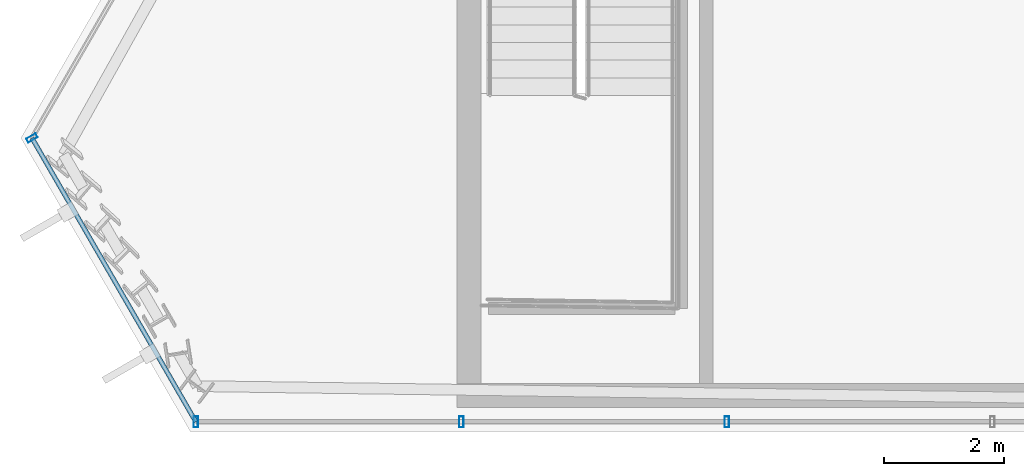
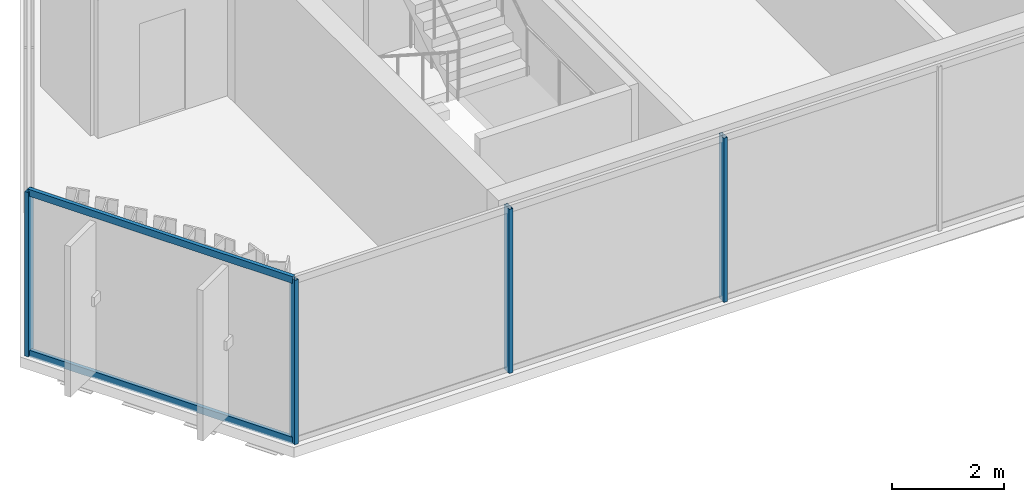
# One storey, part 3 of 34: 6 members, 2 elements without a shape of their own.
"""IFC4 building model written with IfcOpenShell, lengths in metres."""

from ifc_helpers import new_model, si_unit, direction, frame, origin, origin_2d, place, context, subcontext, project, spatial, hollow_rectangle, extrude, material, layer, layer_set, material_profile, profile_set, type_object, element, aggregate, save


model = new_model("IFC4")

# Units and contexts
model_context = context("Model", 3, precision=1e-05, world=origin(), true_north=direction((0.0, 1.0)))
body_context = subcontext(model_context, "Body", "Model", "MODEL_VIEW")
ifc_project = project(units=[si_unit("LENGTHUNIT", "METRE"), si_unit("AREAUNIT", "SQUARE_METRE"), si_unit("VOLUMEUNIT", "CUBIC_METRE"), si_unit("PLANEANGLEUNIT", "RADIAN"), si_unit("MASSUNIT", "GRAM", prefix="KILO")], contexts=[model_context])

# Site, building, storey
site_placement = place(None, origin())
site = spatial("IfcSite", under=ifc_project, at=site_placement, CompositionType="ELEMENT")
building_placement = place(site_placement, origin())
building = spatial("IfcBuilding", under=site, at=building_placement, Name="Ndaravel Arena Tower", CompositionType="ELEMENT")
storey_placement = place(building_placement, frame((0.0, 0.0, 267.39990234375)))
storey = spatial("IfcBuildingStorey", under=building, at=storey_placement, Name="L65", CompositionType="ELEMENT", Elevation=267.39990234375)

# Curtain wall, members
ifc_material_1 = material(Name="Aluminium", Category="aluminium")
ifc_layer_1 = layer(ifc_material_1, 0.179931640625)
ifc_layer_set_1 = layer_set([ifc_layer_1], Name="Aluminium")
curtain_wall_type_1 = type_object("IfcCurtainWallType", Name="CW-SYS-03", PredefinedType="NOTDEFINED", material=ifc_layer_set_1)
curtain_wall_1_placement = place(storey_placement, origin())
curtain_wall_1 = element("IfcCurtainWall", 1, at=curtain_wall_1_placement, inside=storey, type_object=curtain_wall_type_1, Name="L65 Faceted Crystal Curtain Wall CW-L65-E01", PredefinedType="NOTDEFINED")
ifc_material_2 = material(Name="Aluminium", Category="aluminium")
ifc_material_profile_1 = material_profile(ifc_material_2, hollow_rectangle(XDim=0.074951171875, YDim=0.179931640625, WallThickness=0.00390625, at=origin_2d()), Name="CW MULLION 75x180x4")
ifc_profile_set_1 = profile_set([ifc_material_profile_1], Name="Aluminium")
member_type_1 = type_object("IfcMemberType", Name="MEM-CW-MUL180", PredefinedType="MULLION", material=ifc_profile_set_1)
member_1_placement = place(storey_placement, frame((22.09912109375, 5.159912109375, 0.0), z_axis=(0.0, 0.0, 1.0), x_axis=(1.0, 0.0, 0.0)))
member_1 = element("IfcMember", 2, at=member_1_placement, type_object=member_type_1, Name="CW-L65-E01 Mullion 00", PredefinedType="MULLION", context=body_context, shape_type="SweptSolid", body=[
    extrude(hollow_rectangle(XDim=0.074951171875, YDim=0.179931640625, WallThickness=0.00390625, at=origin_2d()), origin(), (0.0, 0.0, 1.0), 3.580078125),
])
member_2_placement = place(storey_placement, frame((26.521484375, 5.159912109375, 0.0), z_axis=(0.0, 0.0, 1.0), x_axis=(1.0, 0.0, 0.0)))
member_2 = element("IfcMember", 3, at=member_2_placement, type_object=member_type_1, Name="CW-L65-E01 Mullion 01", PredefinedType="MULLION", context=body_context, shape_type="SweptSolid", body=[
    extrude(hollow_rectangle(XDim=0.074951171875, YDim=0.179931640625, WallThickness=0.00390625, at=origin_2d()), origin(), (0.0, 0.0, 1.0), 3.580078125),
])
member_3_placement = place(storey_placement, frame((30.94384765625, 5.159912109375, 0.0), z_axis=(0.0, 0.0, 1.0), x_axis=(1.0, 0.0, 0.0)))
member_3 = element("IfcMember", 4, at=member_3_placement, type_object=member_type_1, Name="CW-L65-E01 Mullion 02", PredefinedType="MULLION", context=body_context, shape_type="SweptSolid", body=[
    extrude(hollow_rectangle(XDim=0.074951171875, YDim=0.179931640625, WallThickness=0.00390625, at=origin_2d()), origin(), (0.0, 0.0, 1.0), 3.580078125),
])
aggregate(curtain_wall_1, [member_1, member_2, member_3])

ifc_material_3 = material(Name="Aluminium", Category="aluminium")
ifc_layer_2 = layer(ifc_material_3, 0.179931640625)
ifc_layer_set_2 = layer_set([ifc_layer_2], Name="Aluminium")
curtain_wall_type_2 = type_object("IfcCurtainWallType", Name="CW-SYS-02", PredefinedType="NOTDEFINED", material=ifc_layer_set_2)
curtain_wall_2_placement = place(storey_placement, origin())
curtain_wall_2 = element("IfcCurtainWall", 5, at=curtain_wall_2_placement, inside=storey, type_object=curtain_wall_type_2, Name="L65 Faceted Crystal Curtain Wall CW-L65-E06", PredefinedType="NOTDEFINED")
member_4_placement = place(storey_placement, frame((19.368896484375, 9.888916015625, 0.0), z_axis=(0.0, 0.0, 1.0), x_axis=(0.5, -0.866025403784, 0.0)))
member_4 = element("IfcMember", 6, at=member_4_placement, type_object=member_type_1, Name="CW-L65-E06 Mullion 00", PredefinedType="MULLION", context=body_context, shape_type="SweptSolid", body=[
    extrude(hollow_rectangle(XDim=0.074951171875, YDim=0.179931640625, WallThickness=0.00390625, at=origin_2d()), origin(), (0.0, 0.0, 1.0), 3.580078125),
])
ifc_material_4 = material(Name="Aluminium", Category="aluminium")
ifc_material_profile_2 = material_profile(ifc_material_4, hollow_rectangle(XDim=0.074951171875, YDim=0.14990234375, WallThickness=0.00390625, at=origin_2d()), Name="CW TRANSOM 75x150x4")
ifc_profile_set_2 = profile_set([ifc_material_profile_2], Name="Aluminium")
member_type_2 = type_object("IfcMemberType", Name="MEM-CW-TRN150", PredefinedType="USERDEFINED", material=ifc_profile_set_2)
member_5_placement = place(storey_placement, frame((19.368896484375, 9.888916015625, 0.0400390625), z_axis=(0.499990788139, -0.86603072219, 0.0), x_axis=(0.86603072219, 0.499990788139, 0.0)))
member_5 = element("IfcMember", 7, at=member_5_placement, type_object=member_type_2, Name="CW-L65-E06 Transom 01", ObjectType="TRANSOM", PredefinedType="USERDEFINED", context=body_context, shape_type="SweptSolid", body=[
    extrude(hollow_rectangle(XDim=0.074951171875, YDim=0.14990234375, WallThickness=0.00390625, at=origin_2d()), origin(), (0.0, 0.0, 1.0), 5.46044921875),
])
member_6_placement = place(storey_placement, frame((19.368896484375, 9.888916015625, 3.5400390625), z_axis=(0.499990788139, -0.86603072219, 0.0), x_axis=(0.86603072219, 0.499990788139, 0.0)))
member_6 = element("IfcMember", 8, at=member_6_placement, type_object=member_type_2, Name="CW-L65-E06 Transom 02", ObjectType="TRANSOM", PredefinedType="USERDEFINED", context=body_context, shape_type="SweptSolid", body=[
    extrude(hollow_rectangle(XDim=0.074951171875, YDim=0.14990234375, WallThickness=0.00390625, at=origin_2d()), origin(), (0.0, 0.0, 1.0), 5.46044921875),
])
aggregate(curtain_wall_2, [member_4, member_5, member_6])

save(model, "model.ifc")
